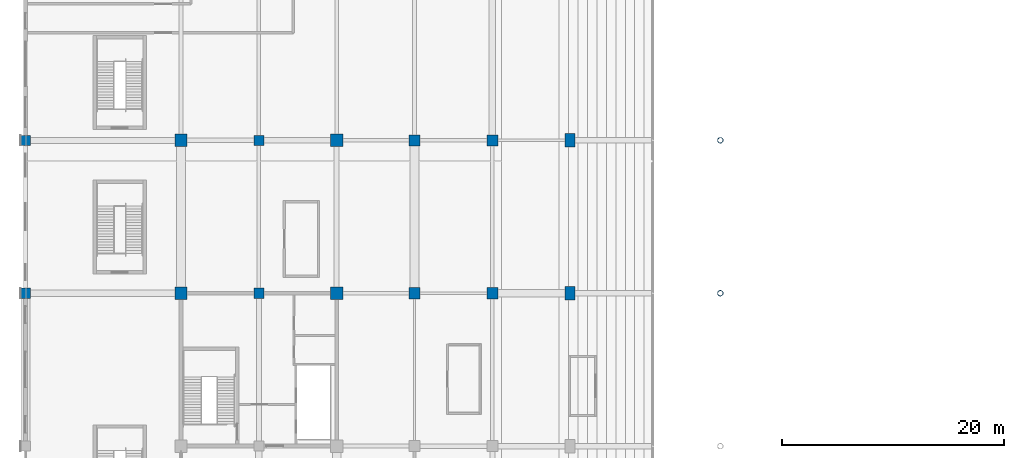
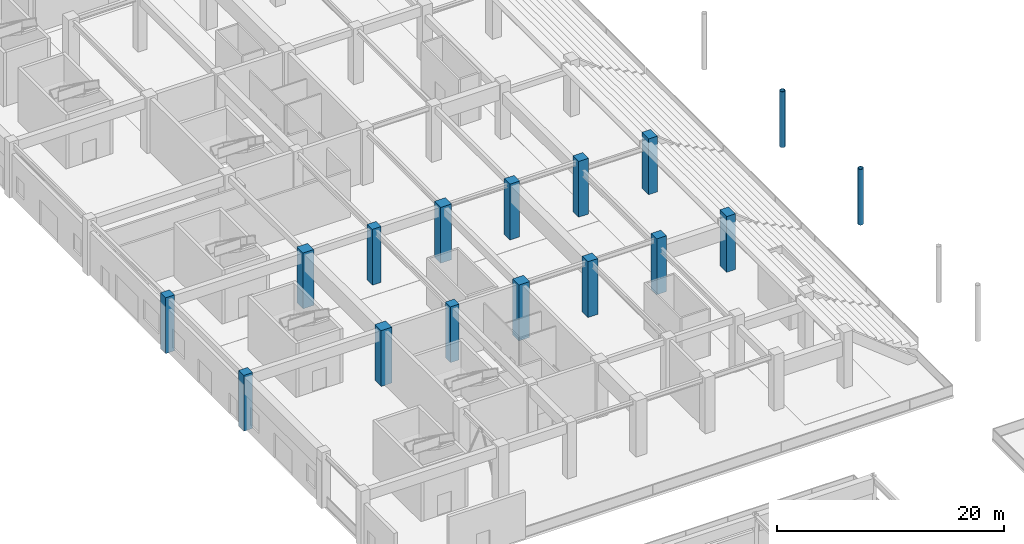
# One storey, part 6 of 73: 16 columns.
"""IFC4 building model written with IfcOpenShell, lengths in metres."""

from ifc_helpers import new_model, si_unit, direction, frame, origin, origin_2d, place, context, subcontext, project, spatial, rectangle, hollow_circle, extrude, material, material_profile, profile_set, type_object, element, save


model = new_model("IFC4")

# Units and contexts
model_context = context("Model", 3, precision=1e-05, world=origin(), true_north=direction((0.0, 1.0)))
body_context = subcontext(model_context, "Body", "Model", "MODEL_VIEW")
ifc_project = project(units=[si_unit("LENGTHUNIT", "METRE"), si_unit("AREAUNIT", "SQUARE_METRE"), si_unit("VOLUMEUNIT", "CUBIC_METRE"), si_unit("PLANEANGLEUNIT", "RADIAN"), si_unit("MASSUNIT", "GRAM", prefix="KILO")], contexts=[model_context])

# Site, building, storey
site_placement = place(None, origin())
site = spatial("IfcSite", under=ifc_project, at=site_placement, CompositionType="ELEMENT")
building_placement = place(site_placement, origin())
building = spatial("IfcBuilding", under=site, at=building_placement, Name="Linyun Crest Stadium", CompositionType="ELEMENT")
storey_placement = place(building_placement, origin())
storey = spatial("IfcBuildingStorey", under=building, at=storey_placement, Name="L01", CompositionType="ELEMENT", Elevation=0.0)

# Columns
ifc_material_1 = material(Name="Concrete C50", Category="concrete")
ifc_material_profile_1 = material_profile(ifc_material_1, rectangle(XDim=0.89990234375, YDim=0.89990234375, at=origin_2d()), Name="RC 900x900")
ifc_profile_set_1 = profile_set([ifc_material_profile_1], Name="Concrete C50")
column_type_1 = type_object("IfcColumnType", Name="C04", PredefinedType="COLUMN", material=ifc_profile_set_1)
for number, where, z_axis, x_axis, name in (
    (1, (-98.0, -25.375, 0.0), (0.0, 0.0, 1.0), (1.0, 0.0, 0.0), "Column C04 L01 14"),
    (2, (-98.0, -11.625, 0.0), (0.0, 0.0, 1.0), (1.0, 0.0, 0.0), "Column C04 L01 20"),
    (3, (-77.0, -25.375, 0.0), (0.0, 0.0, 1.0), (1.0, 0.0, 0.0), "Column C04 L01 116"),
    (4, (-77.0, -11.625, 0.0), (0.0, 0.0, 1.0), (1.0, 0.0, 0.0), "Column C04 L01 121"),
):
    element("IfcColumn", number, at=place(storey_placement, frame(where, z_axis=z_axis, x_axis=x_axis)), inside=storey, type_object=column_type_1, Name=name, PredefinedType="COLUMN", context=body_context, shape_type="SweptSolid", body=[
        extrude(rectangle(XDim=0.89990234375, YDim=0.89990234375, at=origin_2d()), origin(), (0.0, 0.0, 1.0), 5.998046875),
    ])
ifc_material_2 = material(Name="Concrete C50", Category="concrete")
ifc_material_profile_2 = material_profile(ifc_material_2, rectangle(XDim=1.0, YDim=1.0, at=origin_2d()), Name="RC 1000x1000")
ifc_profile_set_2 = profile_set([ifc_material_profile_2], Name="Concrete C50")
column_type_2 = type_object("IfcColumnType", Name="C05", PredefinedType="COLUMN", material=ifc_profile_set_2)
for number, where, z_axis, x_axis, name in (
    (5, (-63.0, -25.375, 0.0), (0.0, 0.0, 1.0), (1.0, 0.0, 0.0), "Column C05 L01 212"),
    (6, (-63.0, -11.625, 0.0), (0.0, 0.0, 1.0), (1.0, 0.0, 0.0), "Column C05 L01 217"),
    (7, (-56.0, -25.375, 0.0), (0.0, 0.0, 1.0), (1.0, 0.0, 0.0), "Column C05 L01 250"),
    (8, (-56.0, -11.625, 0.0), (0.0, 0.0, 1.0), (1.0, 0.0, 0.0), "Column C05 L01 254"),
):
    element("IfcColumn", number, at=place(storey_placement, frame(where, z_axis=z_axis, x_axis=x_axis)), inside=storey, type_object=column_type_2, Name=name, PredefinedType="COLUMN", context=body_context, shape_type="SweptSolid", body=[
        extrude(rectangle(XDim=1.0, YDim=1.0, at=origin_2d()), origin(), (0.0, 0.0, 1.0), 5.998046875),
    ])
ifc_material_3 = material(Name="Concrete C50", Category="concrete")
ifc_material_profile_3 = material_profile(ifc_material_3, rectangle(XDim=1.10009765625, YDim=1.10009765625, at=origin_2d()), Name="RC 1100x1100")
ifc_profile_set_3 = profile_set([ifc_material_profile_3], Name="Concrete C50")
column_type_3 = type_object("IfcColumnType", Name="C06", PredefinedType="COLUMN", material=ifc_profile_set_3)
for number, where, z_axis, x_axis, name in (
    (9, (-84.0, -25.375, 0.0), (0.0, 0.0, 1.0), (1.0, 0.0, 0.0), "Column C06 L01 64"),
    (10, (-84.0, -11.625, 0.0), (0.0, 0.0, 1.0), (1.0, 0.0, 0.0), "Column C06 L01 71"),
    (11, (-70.0, -25.375, 0.0), (0.0, 0.0, 1.0), (1.0, 0.0, 0.0), "Column C06 L01 160"),
    (12, (-70.0, -11.625, 0.0), (0.0, 0.0, 1.0), (1.0, 0.0, 0.0), "Column C06 L01 167"),
):
    element("IfcColumn", number, at=place(storey_placement, frame(where, z_axis=z_axis, x_axis=x_axis)), inside=storey, type_object=column_type_3, Name=name, PredefinedType="COLUMN", context=body_context, shape_type="SweptSolid", body=[
        extrude(rectangle(XDim=1.10009765625, YDim=1.10009765625, at=origin_2d()), origin(), (0.0, 0.0, 1.0), 5.998046875),
    ])
ifc_material_4 = material(Name="Concrete C50", Category="concrete")
ifc_material_profile_4 = material_profile(ifc_material_4, rectangle(XDim=0.89990234375, YDim=1.199951171875, at=origin_2d()), Name="RC 1200x900")
ifc_profile_set_4 = profile_set([ifc_material_profile_4], Name="Concrete C50")
column_type_4 = type_object("IfcColumnType", Name="C11", PredefinedType="COLUMN", material=ifc_profile_set_4)
for number, where, z_axis, x_axis, name in (
    (13, (-49.0, -25.375, 0.0), (0.0, 0.0, 1.0), (1.0, 0.0, 0.0), "Column C11 L01 278"),
    (14, (-49.0, -11.625, 0.0), (0.0, 0.0, 1.0), (1.0, 0.0, 0.0), "Column C11 L01 280"),
):
    element("IfcColumn", number, at=place(storey_placement, frame(where, z_axis=z_axis, x_axis=x_axis)), inside=storey, type_object=column_type_4, Name=name, PredefinedType="COLUMN", context=body_context, shape_type="SweptSolid", body=[
        extrude(rectangle(XDim=0.89990234375, YDim=1.199951171875, at=origin_2d()), origin(), (0.0, 0.0, 1.0), 6.0),
    ])
ifc_material_5 = material(Name="Steel Q355C", Category="steel")
ifc_material_profile_5 = material_profile(ifc_material_5, hollow_circle(Radius=0.25390625, WallThickness=0.02490234375, at=origin_2d()), Name="CHS 508x25")
ifc_profile_set_5 = profile_set([ifc_material_profile_5], Name="Steel Q355C")
column_type_5 = type_object("IfcColumnType", Name="SC05", PredefinedType="COLUMN", material=ifc_profile_set_5)
for number, where, z_axis, x_axis, name in (
    (15, (-35.5, -25.375, 0.0), (0.0, 0.0, 1.0), (1.0, 0.0, 0.0), "Arch colonnade column SC05 L01 6"),
    (16, (-35.5, -11.625, 0.0), (0.0, 0.0, 1.0), (1.0, 0.0, 0.0), "Arch colonnade column SC05 L01 8"),
):
    element("IfcColumn", number, at=place(storey_placement, frame(where, z_axis=z_axis, x_axis=x_axis)), inside=storey, type_object=column_type_5, Name=name, PredefinedType="COLUMN", context=body_context, shape_type="SweptSolid", body=[
        extrude(hollow_circle(Radius=0.25390625, WallThickness=0.02490234375, at=origin_2d()), origin(), (0.0, 0.0, 1.0), 6.0),
    ])

save(model, "model.ifc")
